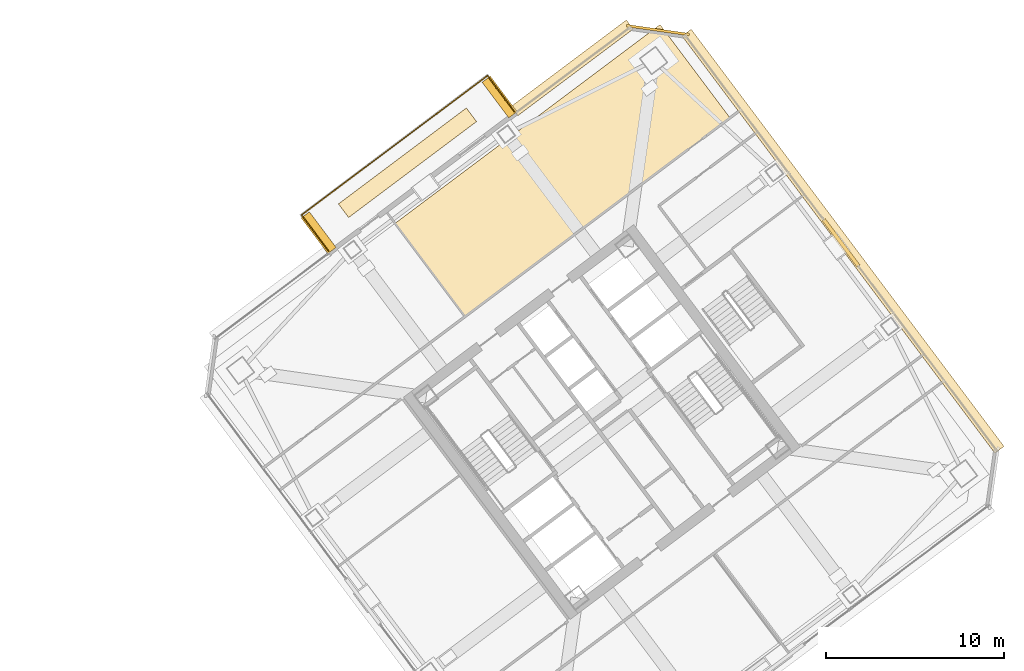
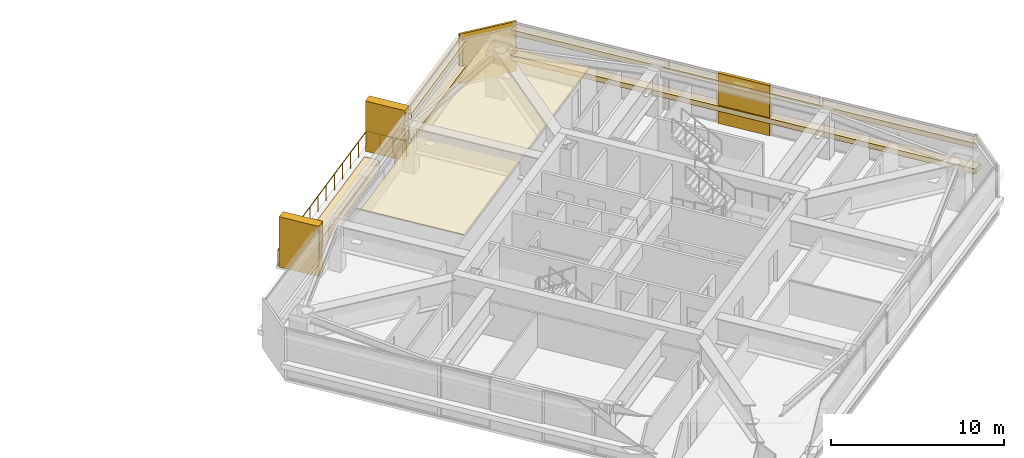
# One storey, part 42 of 42: 10 coverings, 3 railings.
"""IFC4 building model written with IfcOpenShell, lengths in metres."""

from ifc_helpers import new_model, si_unit, direction, frame, origin, origin_2d, place, context, subcontext, project, spatial, polyline, rectangle, outline, extrude, material, layer, layer_set, type_object, element, save


model = new_model("IFC4")

# Units and contexts
model_context = context("Model", 3, precision=1e-05, world=origin(), true_north=direction((0.0, 1.0)))
body_context = subcontext(model_context, "Body", "Model", "MODEL_VIEW")
ifc_project = project(units=[si_unit("LENGTHUNIT", "METRE"), si_unit("AREAUNIT", "SQUARE_METRE"), si_unit("VOLUMEUNIT", "CUBIC_METRE"), si_unit("PLANEANGLEUNIT", "RADIAN"), si_unit("MASSUNIT", "GRAM", prefix="KILO")], contexts=[model_context])

# Site, building, storey
site_placement = place(None, origin())
site = spatial("IfcSite", under=ifc_project, at=site_placement, CompositionType="ELEMENT")
building_placement = place(site_placement, origin())
building = spatial("IfcBuilding", under=site, at=building_placement, Name="Tashvorn Skyway Center", CompositionType="ELEMENT")
storey_placement = place(building_placement, frame((0.0, 0.0, 196.050048828125)))
storey = spatial("IfcBuildingStorey", under=building, at=storey_placement, Name="L53", CompositionType="ELEMENT", Elevation=196.050048828125)

# Coverings
ifc_material_1 = material(Name="Precast concrete C40/50", Category="concrete")
ifc_layer_1 = layer(ifc_material_1, 0.199951171875)
ifc_layer_set_1 = layer_set([ifc_layer_1], Name="Precast concrete C40/50")
covering_type_1 = type_object("IfcCoveringType", Name="COV-BRACE-CLAD", PredefinedType="CLADDING", material=ifc_layer_set_1)
covering_1_placement = place(storey_placement, frame((127.424072265625, 42.068115234375, 0.0), z_axis=(0.0, 0.0, 1.0), x_axis=(0.600000004945, -0.799999996291, 0.0)))
element("IfcCovering", 1, at=covering_1_placement, inside=storey, type_object=covering_type_1, Name="Tower 2 L53 East Unitised Curtain Wall Mega-Brace Cladding Band 1", PredefinedType="CLADDING", context=body_context, shape_type="SweptSolid", body=[
    extrude(rectangle(XDim=3.239990234375, YDim=0.199951171875, at=origin_2d()), origin(), (0.0, 0.0, 1.0), 3.550048828125),
])
ifc_material_2 = material(Name="Mineral-fibre acoustic ceiling tile on suspended grid")
ifc_layer_2 = layer(ifc_material_2, 0.02001953125)
ifc_layer_set_2 = layer_set([ifc_layer_2], Name="Mineral-fibre acoustic ceiling tile on suspended grid")
covering_type_2 = type_object("IfcCoveringType", Name="COV-CEIL-20", PredefinedType="CEILING", material=ifc_layer_set_2)
covering_2_placement = place(storey_placement, frame((0.0, 0.0, 2.373046875)))
element("IfcCovering", 2, at=covering_2_placement, inside=storey, type_object=covering_type_2, Name="Tower 2 L53 Open Plan Office Acoustic Ceiling", PredefinedType="CEILING", context=body_context, shape_type="SweptSolid", body=[
    extrude(outline(polyline([(106.31005859375, 37.919921875), (121.18994140625, 49.080078125), (117.260009765625, 54.320068359375), (102.3798828125, 43.159912109375), (106.31005859375, 37.919921875)])), origin(), (0.0, 0.0, 1.0), 0.02001953125),
])
ifc_material_3 = material(Name="Perforated ceramic-coated bronze aluminium solar screen", Category="aluminium")
ifc_layer_3 = layer(ifc_material_3, 0.85009765625)
ifc_layer_set_3 = layer_set([ifc_layer_3], Name="Perforated ceramic-coated bronze aluminium solar screen")
covering_type_3 = type_object("IfcCoveringType", Name="COV-SOLAR-BAND", PredefinedType="CLADDING", material=ifc_layer_set_3)
for number, where, z_axis, x_axis, name in (
    (3, (112.320068359375, 51.889892578125, 0.919921875), (0.0, 0.0, 1.0), (0.799999996291, 0.600000004945, 0.0), "L53 Perforated Ceramic-Metal Solar Screen Louvre Band North 1"),
    (4, (112.320068359375, 51.889892578125, 2.7197265625), (0.0, 0.0, 1.0), (0.799999996291, 0.600000004945, 0.0), "L53 Perforated Ceramic-Metal Solar Screen Louvre Band North 2"),
):
    element("IfcCovering", number, at=place(storey_placement, frame(where, z_axis=z_axis, x_axis=x_axis)), inside=storey, type_object=covering_type_3, Name=name, PredefinedType="CLADDING", context=body_context, shape_type="SweptSolid", body=[
        extrude(rectangle(XDim=8.10009765625, YDim=0.639892578125, at=origin_2d()), origin(), (0.0, 0.0, 1.0), 0.360107421875),
    ])
for number, where, z_axis, x_axis, name in (
    (5, (127.535888671875, 42.152099609375, 0.919921875), (0.0, 0.0, 1.0), (0.600000004945, -0.799999996291, 0.0), "L53 Perforated Ceramic-Metal Solar Screen Louvre Band East 1"),
    (6, (127.535888671875, 42.152099609375, 2.7197265625), (0.0, 0.0, 1.0), (0.600000004945, -0.799999996291, 0.0), "L53 Perforated Ceramic-Metal Solar Screen Louvre Band East 2"),
):
    element("IfcCovering", number, at=place(storey_placement, frame(where, z_axis=z_axis, x_axis=x_axis)), inside=storey, type_object=covering_type_3, Name=name, PredefinedType="CLADDING", context=body_context, shape_type="SweptSolid", body=[
        extrude(rectangle(XDim=29.280029296875, YDim=0.639892578125, at=origin_2d()), origin(), (0.0, 0.0, 1.0), 0.360107421875),
    ])
ifc_layer_4 = layer(ifc_material_1, 0.35009765625)
ifc_layer_set_4 = layer_set([ifc_layer_4], Name="Precast concrete C40/50")
covering_type_4 = type_object("IfcCoveringType", Name="COV-STONE-TRIM", PredefinedType="CLADDING", material=ifc_layer_set_4)
for number, where, z_axis, x_axis, name in (
    (7, (98.090087890625, 42.6298828125, 0.0), (0.0, 0.0, 1.0), (0.799999996291, 0.600000004945, 0.0), "Tower 2 L53 Sky Garden Loggia Pier L"),
    (8, (108.25, 50.25, 0.0), (0.0, 0.0, 1.0), (0.799999996291, 0.600000004945, 0.0), "Tower 2 L53 Sky Garden Loggia Pier R"),
):
    element("IfcCovering", number, at=place(storey_placement, frame(where, z_axis=z_axis, x_axis=x_axis)), inside=storey, type_object=covering_type_4, Name=name, PredefinedType="CLADDING", context=body_context, shape_type="SweptSolid", body=[
        extrude(rectangle(XDim=0.580078125, YDim=2.5, at=origin_2d()), origin(), (0.0, 0.0, 1.0), 3.550048828125),
    ])
covering_3_placement = place(storey_placement, frame((103.080078125, 46.56005859375, 0.0), z_axis=(0.0, 0.0, 1.0), x_axis=(0.799999996291, 0.600000004945, 0.0)))
element("IfcCovering", 9, at=covering_3_placement, inside=storey, type_object=covering_type_4, Name="Tower 2 L53 Sky Garden Stone Planter Bed", PredefinedType="CLADDING", context=body_context, shape_type="SweptSolid", body=[
    extrude(rectangle(XDim=8.97607421875, YDim=0.949951171875, at=origin_2d()), origin(), (0.0, 0.0, 1.0), 0.800048828125),
])
covering_4_placement = place(storey_placement, frame((117.14404296875, 54.008056640625, 0.02001953125), z_axis=(0.0, 0.0, 1.0), x_axis=(0.989949494535, -0.141421350118, 0.0)))
element("IfcCovering", 10, at=covering_4_placement, inside=storey, type_object=covering_type_4, Name="Tower 2 L53 NE Mojave Limestone Corner Quoin", PredefinedType="CLADDING", context=body_context, shape_type="SweptSolid", body=[
    extrude(rectangle(XDim=3.55419921875, YDim=0.139892578125, at=origin_2d()), origin(), (0.0, 0.0, 1.0), 3.510009765625),
])

# Railings
ifc_material_4 = material(Name="Galvanized steel S355", Category="steel")
railing_type = type_object("IfcRailingType", Name="RAIL-GUARD-1120", PredefinedType="GUARDRAIL", material=ifc_material_4)
railing_1_placement = place(storey_placement, frame((98.64404296875, 41.60791015625, 0.0)))
element("IfcRailing", 11, at=railing_1_placement, inside=storey, type_object=railing_type, Name="L53 Tower 2 Terrace Guardrail 01", PredefinedType="GUARDRAIL", context=body_context, shape_type="SweptSolid", body=[
    extrude(rectangle(XDim=0.048095703125, YDim=0.048095703125, at=origin_2d()), frame((0.0, 0.0, 1.09619140625), z_axis=(-0.599968998406, 0.800023250257, 0.0), x_axis=(-0.800023250257, -0.599968998406, 0.0)), (0.0, 0.0, 1.0), 2.52001953125),
    extrude(rectangle(XDim=0.0419921875, YDim=0.0419921875, at=origin_2d()), origin(), (0.0, 0.0, 1.0), 1.072021484375),
    extrude(rectangle(XDim=0.0419921875, YDim=0.0419921875, at=origin_2d()), frame((-0.50390625, 0.672119140625, 0.0)), (0.0, 0.0, 1.0), 1.072021484375),
    extrude(rectangle(XDim=0.0419921875, YDim=0.0419921875, at=origin_2d()), frame((-1.008056640625, 1.343994140625, 0.0)), (0.0, 0.0, 1.0), 1.072021484375),
    extrude(rectangle(XDim=0.0419921875, YDim=0.0419921875, at=origin_2d()), frame((-1.511962890625, 2.01611328125, 0.0)), (0.0, 0.0, 1.0), 1.072021484375),
])
railing_2_placement = place(storey_placement, frame((97.132080078125, 43.6240234375, 0.0)))
element("IfcRailing", 12, at=railing_2_placement, inside=storey, type_object=railing_type, Name="L53 Tower 2 Terrace Guardrail 02", PredefinedType="GUARDRAIL", context=body_context, shape_type="SweptSolid", body=[
    extrude(rectangle(XDim=0.048095703125, YDim=0.048095703125, at=origin_2d()), frame((0.0, 0.0, 1.09619140625), z_axis=(0.799997753283, 0.600002995611, 0.0), x_axis=(-0.600002995611, 0.799997753283, 0.0)), (0.0, 0.0, 1.0), 13.039794921875),
    extrude(rectangle(XDim=0.0419921875, YDim=0.0419921875, at=origin_2d()), origin(), (0.0, 0.0, 1.0), 1.072021484375),
    extrude(rectangle(XDim=0.0419921875, YDim=0.0419921875, at=origin_2d()), frame((0.9482421875, 0.711181640625, 0.0)), (0.0, 0.0, 1.0), 1.072021484375),
    extrude(rectangle(XDim=0.0419921875, YDim=0.0419921875, at=origin_2d()), frame((1.896728515625, 1.422607421875, 0.0)), (0.0, 0.0, 1.0), 1.072021484375),
    extrude(rectangle(XDim=0.0419921875, YDim=0.0419921875, at=origin_2d()), frame((2.844970703125, 2.1337890625, 0.0)), (0.0, 0.0, 1.0), 1.072021484375),
    extrude(rectangle(XDim=0.0419921875, YDim=0.0419921875, at=origin_2d()), frame((3.79345703125, 2.844970703125, 0.0)), (0.0, 0.0, 1.0), 1.072021484375),
    extrude(rectangle(XDim=0.0419921875, YDim=0.0419921875, at=origin_2d()), frame((4.74169921875, 3.556396484375, 0.0)), (0.0, 0.0, 1.0), 1.072021484375),
    extrude(rectangle(XDim=0.0419921875, YDim=0.0419921875, at=origin_2d()), frame((5.690185546875, 4.267578125, 0.0)), (0.0, 0.0, 1.0), 1.072021484375),
    extrude(rectangle(XDim=0.0419921875, YDim=0.0419921875, at=origin_2d()), frame((6.638427734375, 4.97900390625, 0.0)), (0.0, 0.0, 1.0), 1.072021484375),
    extrude(rectangle(XDim=0.0419921875, YDim=0.0419921875, at=origin_2d()), frame((7.5869140625, 5.690185546875, 0.0)), (0.0, 0.0, 1.0), 1.072021484375),
    extrude(rectangle(XDim=0.0419921875, YDim=0.0419921875, at=origin_2d()), frame((8.53515625, 6.4013671875, 0.0)), (0.0, 0.0, 1.0), 1.072021484375),
    extrude(rectangle(XDim=0.0419921875, YDim=0.0419921875, at=origin_2d()), frame((9.483642578125, 7.11279296875, 0.0)), (0.0, 0.0, 1.0), 1.072021484375),
    extrude(rectangle(XDim=0.0419921875, YDim=0.0419921875, at=origin_2d()), frame((10.431884765625, 7.823974609375, 0.0)), (0.0, 0.0, 1.0), 1.072021484375),
])
railing_3_placement = place(storey_placement, frame((107.56396484375, 51.447998046875, 0.0)))
element("IfcRailing", 13, at=railing_3_placement, inside=storey, type_object=railing_type, Name="L53 Tower 2 Terrace Guardrail 03", PredefinedType="GUARDRAIL", context=body_context, shape_type="SweptSolid", body=[
    extrude(rectangle(XDim=0.048095703125, YDim=0.048095703125, at=origin_2d()), frame((0.0, 0.0, 1.09619140625), z_axis=(0.599968998406, -0.800023250257, 0.0), x_axis=(0.800023250257, 0.599968998406, 0.0)), (0.0, 0.0, 1.0), 2.52001953125),
    extrude(rectangle(XDim=0.0419921875, YDim=0.0419921875, at=origin_2d()), origin(), (0.0, 0.0, 1.0), 1.072021484375),
    extrude(rectangle(XDim=0.0419921875, YDim=0.0419921875, at=origin_2d()), frame((0.50390625, -0.672119140625, 0.0)), (0.0, 0.0, 1.0), 1.072021484375),
    extrude(rectangle(XDim=0.0419921875, YDim=0.0419921875, at=origin_2d()), frame((1.008056640625, -1.343994140625, 0.0)), (0.0, 0.0, 1.0), 1.072021484375),
    extrude(rectangle(XDim=0.0419921875, YDim=0.0419921875, at=origin_2d()), frame((1.511962890625, -2.01611328125, 0.0)), (0.0, 0.0, 1.0), 1.072021484375),
])

save(model, "model.ifc")
